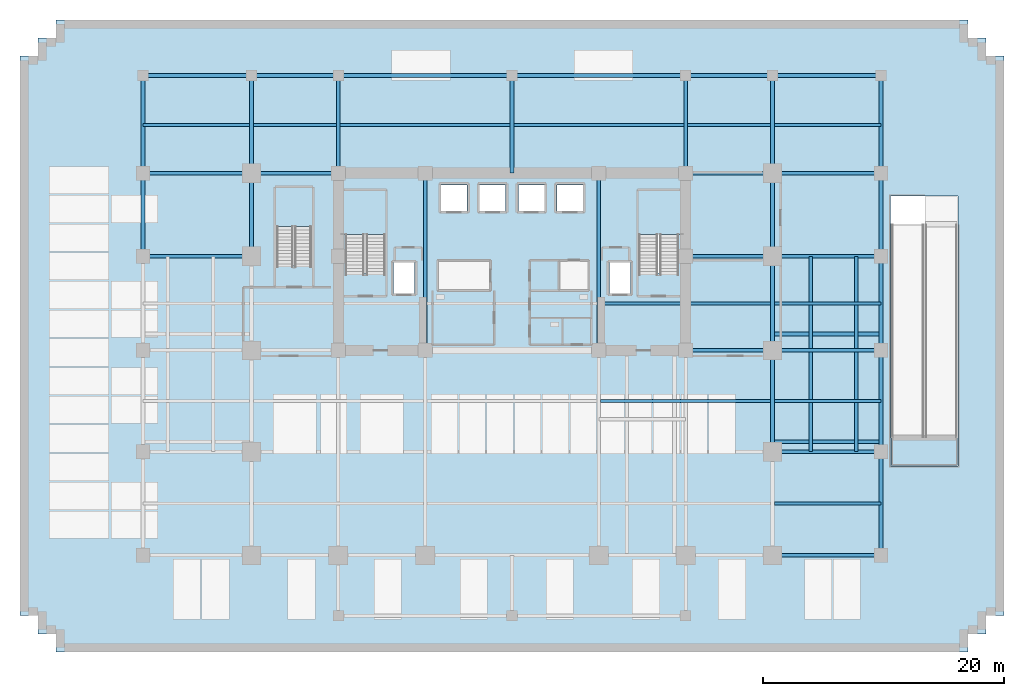
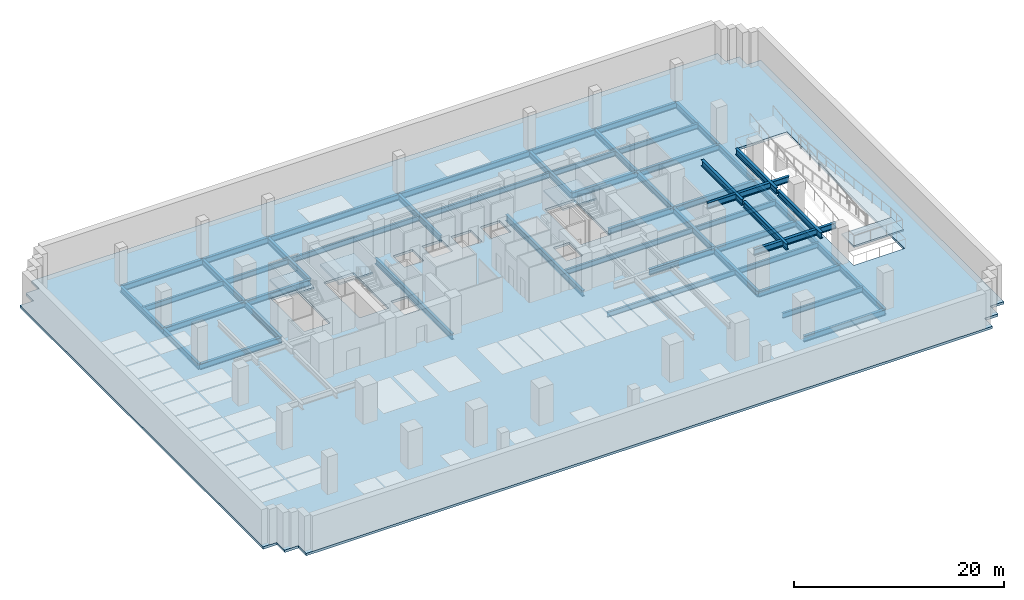
# One storey, part 2 of 14: 52 beams, 5 slabs, 3 elements without a shape of their own.
"""IFC4 building model written with IfcOpenShell, lengths in metres."""

from ifc_helpers import new_model, si_unit, direction, frame, origin, origin_2d, place, context, subcontext, project, spatial, polyline, i_section, outline, extrude, material, layer, layer_set, material_profile, profile_set, type_object, element, aggregate, save


model = new_model("IFC4")

# Units and contexts
model_context = context("Model", 3, precision=1e-05, world=origin(), true_north=direction((0.0, 1.0)))
body_context = subcontext(model_context, "Body", "Model", "MODEL_VIEW")
ifc_project = project(units=[si_unit("LENGTHUNIT", "METRE"), si_unit("AREAUNIT", "SQUARE_METRE"), si_unit("VOLUMEUNIT", "CUBIC_METRE"), si_unit("PLANEANGLEUNIT", "RADIAN"), si_unit("MASSUNIT", "GRAM", prefix="KILO")], contexts=[model_context])

# Site, building, storey
site_placement = place(None, origin())
site = spatial("IfcSite", under=ifc_project, at=site_placement, CompositionType="ELEMENT")
building_placement = place(site_placement, origin())
building = spatial("IfcBuilding", under=site, at=building_placement, Name="Zarnakvel Exchange Tower", CompositionType="ELEMENT")
storey_placement = place(building_placement, frame((0.0, 0.0, -4.39990234375)))
storey = spatial("IfcBuildingStorey", under=building, at=storey_placement, Name="B01", CompositionType="ELEMENT", Elevation=-4.39990234375)

# Beams
ifc_material_1 = material(Name="Steel S355", Category="steel")
ifc_material_profile_1 = material_profile(ifc_material_1, i_section(OverallWidth=0.230224609375, OverallDepth=0.6171875, WebThickness=0.01318359375, FlangeThickness=0.022216796875, FilletRadius=0.0126953125, at=origin_2d()))
ifc_profile_set_1 = profile_set([ifc_material_profile_1], Name="Steel S355")
beam_type_1 = type_object("IfcBeamType", Name="B-02", PredefinedType="JOIST", material=ifc_profile_set_1)
beam_1_placement = place(storey_placement, frame((21.75, -13.89990234375, -0.588623046875), z_axis=(1.0, 0.0, 0.0), x_axis=(0.0, 1.0, 0.0)))
element("IfcBeam", 1, at=beam_1_placement, inside=storey, type_object=beam_type_1, Name="B01 Secondary Floor Joist", PredefinedType="JOIST", context=body_context, shape_type="SweptSolid", body=[
    extrude(i_section(OverallWidth=0.230224609375, OverallDepth=0.6171875, WebThickness=0.01318359375, FlangeThickness=0.022216796875, FilletRadius=0.0126953125, at=origin_2d()), origin(), (0.0, 0.0, 1.0), 8.85009765625),
])
beam_2_placement = place(storey_placement, frame((7.35009765625, -5.39990234375, -0.588623046875), z_axis=(1.0, 0.0, 0.0), x_axis=(0.0, 1.0, 0.0)))
element("IfcBeam", 2, at=beam_2_placement, inside=storey, type_object=beam_type_1, Name="B01 Secondary Floor Joist", PredefinedType="JOIST", context=body_context, shape_type="SweptSolid", body=[
    extrude(i_section(OverallWidth=0.230224609375, OverallDepth=0.6171875, WebThickness=0.01318359375, FlangeThickness=0.022216796875, FilletRadius=0.0126953125, at=origin_2d()), origin(), (0.0, 0.0, 1.0), 14.099853515625),
])
beam_3_placement = place(storey_placement, frame((21.75, -5.39990234375, -0.588623046875), z_axis=(1.0, 0.0, 0.0), x_axis=(0.0, 1.0, 0.0)))
element("IfcBeam", 3, at=beam_3_placement, inside=storey, type_object=beam_type_1, Name="B01 Secondary Floor Joist", PredefinedType="JOIST", context=body_context, shape_type="SweptSolid", body=[
    extrude(i_section(OverallWidth=0.230224609375, OverallDepth=0.6171875, WebThickness=0.01318359375, FlangeThickness=0.022216796875, FilletRadius=0.0126953125, at=origin_2d()), origin(), (0.0, 0.0, 1.0), 8.85009765625),
])
beam_4_placement = place(storey_placement, frame((7.35009765625, 2.699951171875, -0.588623046875), z_axis=(1.0, 0.0, 0.0), x_axis=(0.0, 1.0, 0.0)))
element("IfcBeam", 4, at=beam_4_placement, inside=storey, type_object=beam_type_1, Name="B01 Secondary Floor Joist", PredefinedType="JOIST", context=body_context, shape_type="SweptSolid", body=[
    extrude(i_section(OverallWidth=0.230224609375, OverallDepth=0.6171875, WebThickness=0.01318359375, FlangeThickness=0.022216796875, FilletRadius=0.0126953125, at=origin_2d()), origin(), (0.0, 0.0, 1.0), 14.099853515625),
])
for number, where, z_axis, x_axis, name in (
    (5, (21.75, 2.699951171875, -0.588623046875), (1.0, 0.0, 0.0), (0.0, 1.0, 0.0), "B01 Secondary Floor Joist"),
    (6, (-30.60009765625, 17.5, -0.588623046875), (1.0, 0.0, 0.0), (0.0, 1.0, 0.0), "B01 North Bay Secondary Floor Joist"),
):
    element("IfcBeam", number, at=place(storey_placement, frame(where, z_axis=z_axis, x_axis=x_axis)), inside=storey, type_object=beam_type_1, Name=name, PredefinedType="JOIST", context=body_context, shape_type="SweptSolid", body=[
        extrude(i_section(OverallWidth=0.230224609375, OverallDepth=0.6171875, WebThickness=0.01318359375, FlangeThickness=0.022216796875, FilletRadius=0.0126953125, at=origin_2d()), origin(), (0.0, 0.0, 1.0), 8.85009765625),
    ])
beam_5_placement = place(storey_placement, frame((-21.449951171875, 17.5, -0.588623046875), z_axis=(1.0, 0.0, 0.0), x_axis=(0.0, 1.0, 0.0)))
element("IfcBeam", 7, at=beam_5_placement, inside=storey, type_object=beam_type_1, Name="B01 North Bay Secondary Floor Joist", PredefinedType="JOIST", context=body_context, shape_type="SweptSolid", body=[
    extrude(i_section(OverallWidth=0.230224609375, OverallDepth=0.6171875, WebThickness=0.01318359375, FlangeThickness=0.022216796875, FilletRadius=0.0126953125, at=origin_2d()), origin(), (0.0, 0.0, 1.0), 6.89990234375),
])
for number, where, z_axis, x_axis, name in (
    (8, (-14.25, 17.5, -0.588623046875), (1.0, 0.0, 0.0), (0.0, 1.0, 0.0), "B01 North Bay Secondary Floor Joist"),
    (9, (0.14990234375, 17.5, -0.588623046875), (1.0, 0.0, 0.0), (0.0, 1.0, 0.0), "B01 North Bay Secondary Floor Joist"),
):
    element("IfcBeam", number, at=place(storey_placement, frame(where, z_axis=z_axis, x_axis=x_axis)), inside=storey, type_object=beam_type_1, Name=name, PredefinedType="JOIST", context=body_context, shape_type="SweptSolid", body=[
        extrude(i_section(OverallWidth=0.230224609375, OverallDepth=0.6171875, WebThickness=0.01318359375, FlangeThickness=0.022216796875, FilletRadius=0.0126953125, at=origin_2d()), origin(), (0.0, 0.0, 1.0), 14.10009765625),
    ])
beam_6_placement = place(storey_placement, frame((14.550048828125, 17.5, -0.588623046875), z_axis=(1.0, 0.0, 0.0), x_axis=(0.0, 1.0, 0.0)))
element("IfcBeam", 10, at=beam_6_placement, inside=storey, type_object=beam_type_1, Name="B01 North Bay Secondary Floor Joist", PredefinedType="JOIST", context=body_context, shape_type="SweptSolid", body=[
    extrude(i_section(OverallWidth=0.230224609375, OverallDepth=0.6171875, WebThickness=0.01318359375, FlangeThickness=0.022216796875, FilletRadius=0.0126953125, at=origin_2d()), origin(), (0.0, 0.0, 1.0), 6.89990234375),
])
beam_7_placement = place(storey_placement, frame((21.75, 17.5, -0.588623046875), z_axis=(1.0, 0.0, 0.0), x_axis=(0.0, 1.0, 0.0)))
element("IfcBeam", 11, at=beam_7_placement, inside=storey, type_object=beam_type_1, Name="B01 North Bay Secondary Floor Joist", PredefinedType="JOIST", context=body_context, shape_type="SweptSolid", body=[
    extrude(i_section(OverallWidth=0.230224609375, OverallDepth=0.6171875, WebThickness=0.01318359375, FlangeThickness=0.022216796875, FilletRadius=0.0126953125, at=origin_2d()), origin(), (0.0, 0.0, 1.0), 8.85009765625),
])
ifc_material_profile_2 = material_profile(ifc_material_1, i_section(OverallWidth=0.300048828125, OverallDepth=0.699951171875, WebThickness=0.01708984375, FlangeThickness=0.031982421875, FilletRadius=0.027099609375, at=origin_2d()))
ifc_profile_set_2 = profile_set([ifc_material_profile_2], Name="Steel S355")
beam_type_2 = type_object("IfcBeamType", Name="G-03", PredefinedType="BEAM", material=ifc_profile_set_2)
for number, where, z_axis, x_axis, name in (
    (12, (21.60009765625, -18.199951171875, -0.630126953125), (1.0, 0.0, 0.0), (0.0, 1.0, 0.0), "B01 Primary E-W Girder Y=-18.2"),
    (13, (21.60009765625, -9.60009765625, -0.630126953125), (1.0, 0.0, 0.0), (0.0, 1.0, 0.0), "B01 Primary E-W Girder Y=-9.6"),
):
    element("IfcBeam", number, at=place(storey_placement, frame(where, z_axis=z_axis, x_axis=x_axis)), inside=storey, type_object=beam_type_2, Name=name, PredefinedType="BEAM", context=body_context, shape_type="SweptSolid", body=[
        extrude(i_section(OverallWidth=0.300048828125, OverallDepth=0.699951171875, WebThickness=0.01708984375, FlangeThickness=0.031982421875, FilletRadius=0.027099609375, at=origin_2d()), origin(), (0.0, 0.0, 1.0), 9.0),
    ])
beam_8_placement = place(storey_placement, frame((14.39990234375, -1.199951171875, -0.630126953125), z_axis=(1.0, 0.0, 0.0), x_axis=(0.0, 1.0, 0.0)))
element("IfcBeam", 14, at=beam_8_placement, inside=storey, type_object=beam_type_2, Name="B01 Primary E-W Girder Y=-1.2", PredefinedType="BEAM", context=body_context, shape_type="SweptSolid", body=[
    extrude(i_section(OverallWidth=0.300048828125, OverallDepth=0.699951171875, WebThickness=0.01708984375, FlangeThickness=0.031982421875, FilletRadius=0.027099609375, at=origin_2d()), origin(), (0.0, 0.0, 1.0), 7.2001953125),
])
for number, where, z_axis, x_axis, name in (
    (15, (21.60009765625, -1.199951171875, -0.630126953125), (1.0, 0.0, 0.0), (0.0, 1.0, 0.0), "B01 Primary E-W Girder Y=-1.2"),
    (16, (-30.60009765625, 6.60009765625, -0.630126953125), (1.0, 0.0, 0.0), (0.0, 1.0, 0.0), "B01 Primary E-W Girder Y=+6.6"),
):
    element("IfcBeam", number, at=place(storey_placement, frame(where, z_axis=z_axis, x_axis=x_axis)), inside=storey, type_object=beam_type_2, Name=name, PredefinedType="BEAM", context=body_context, shape_type="SweptSolid", body=[
        extrude(i_section(OverallWidth=0.300048828125, OverallDepth=0.699951171875, WebThickness=0.01708984375, FlangeThickness=0.031982421875, FilletRadius=0.027099609375, at=origin_2d()), origin(), (0.0, 0.0, 1.0), 9.0),
    ])
beam_9_placement = place(storey_placement, frame((14.39990234375, 6.60009765625, -0.630126953125), z_axis=(1.0, 0.0, 0.0), x_axis=(0.0, 1.0, 0.0)))
element("IfcBeam", 17, at=beam_9_placement, inside=storey, type_object=beam_type_2, Name="B01 Primary E-W Girder Y=+6.6", PredefinedType="BEAM", context=body_context, shape_type="SweptSolid", body=[
    extrude(i_section(OverallWidth=0.300048828125, OverallDepth=0.699951171875, WebThickness=0.01708984375, FlangeThickness=0.031982421875, FilletRadius=0.027099609375, at=origin_2d()), origin(), (0.0, 0.0, 1.0), 7.2001953125),
])
for number, where, z_axis, x_axis, name in (
    (18, (21.60009765625, 6.60009765625, -0.630126953125), (1.0, 0.0, 0.0), (0.0, 1.0, 0.0), "B01 Primary E-W Girder Y=+6.6"),
    (19, (-30.60009765625, 13.5, -0.630126953125), (1.0, 0.0, 0.0), (0.0, 1.0, 0.0), "B01 Primary E-W Girder Y=+13.5"),
):
    element("IfcBeam", number, at=place(storey_placement, frame(where, z_axis=z_axis, x_axis=x_axis)), inside=storey, type_object=beam_type_2, Name=name, PredefinedType="BEAM", context=body_context, shape_type="SweptSolid", body=[
        extrude(i_section(OverallWidth=0.300048828125, OverallDepth=0.699951171875, WebThickness=0.01708984375, FlangeThickness=0.031982421875, FilletRadius=0.027099609375, at=origin_2d()), origin(), (0.0, 0.0, 1.0), 9.0),
    ])
for number, where, z_axis, x_axis, name in (
    (20, (-21.60009765625, 13.5, -0.630126953125), (1.0, 0.0, 0.0), (0.0, 1.0, 0.0), "B01 Primary E-W Girder Y=+13.5"),
    (21, (14.39990234375, 13.5, -0.630126953125), (1.0, 0.0, 0.0), (0.0, 1.0, 0.0), "B01 Primary E-W Girder Y=+13.5"),
):
    element("IfcBeam", number, at=place(storey_placement, frame(where, z_axis=z_axis, x_axis=x_axis)), inside=storey, type_object=beam_type_2, Name=name, PredefinedType="BEAM", context=body_context, shape_type="SweptSolid", body=[
        extrude(i_section(OverallWidth=0.300048828125, OverallDepth=0.699951171875, WebThickness=0.01708984375, FlangeThickness=0.031982421875, FilletRadius=0.027099609375, at=origin_2d()), origin(), (0.0, 0.0, 1.0), 7.2001953125),
    ])
for number, where, z_axis, x_axis, name in (
    (22, (21.60009765625, 13.5, -0.630126953125), (1.0, 0.0, 0.0), (0.0, 1.0, 0.0), "B01 Primary E-W Girder Y=+13.5"),
    (23, (-30.60009765625, 21.60009765625, -0.630126953125), (1.0, 0.0, 0.0), (0.0, 1.0, 0.0), "B01 Primary E-W Girder Y=+21.6"),
):
    element("IfcBeam", number, at=place(storey_placement, frame(where, z_axis=z_axis, x_axis=x_axis)), inside=storey, type_object=beam_type_2, Name=name, PredefinedType="BEAM", context=body_context, shape_type="SweptSolid", body=[
        extrude(i_section(OverallWidth=0.300048828125, OverallDepth=0.699951171875, WebThickness=0.01708984375, FlangeThickness=0.031982421875, FilletRadius=0.027099609375, at=origin_2d()), origin(), (0.0, 0.0, 1.0), 9.0),
    ])
beam_10_placement = place(storey_placement, frame((-21.60009765625, 21.60009765625, -0.630126953125), z_axis=(1.0, 0.0, 0.0), x_axis=(0.0, 1.0, 0.0)))
element("IfcBeam", 24, at=beam_10_placement, inside=storey, type_object=beam_type_2, Name="B01 Primary E-W Girder Y=+21.6", PredefinedType="BEAM", context=body_context, shape_type="SweptSolid", body=[
    extrude(i_section(OverallWidth=0.300048828125, OverallDepth=0.699951171875, WebThickness=0.01708984375, FlangeThickness=0.031982421875, FilletRadius=0.027099609375, at=origin_2d()), origin(), (0.0, 0.0, 1.0), 7.2001953125),
])
for number, where, z_axis, x_axis, name in (
    (25, (-14.39990234375, 21.60009765625, -0.630126953125), (1.0, 0.0, 0.0), (0.0, 1.0, 0.0), "B01 Primary E-W Girder Y=+21.6"),
    (26, (0.0, 21.60009765625, -0.630126953125), (1.0, 0.0, 0.0), (0.0, 1.0, 0.0), "B01 Primary E-W Girder Y=+21.6"),
):
    element("IfcBeam", number, at=place(storey_placement, frame(where, z_axis=z_axis, x_axis=x_axis)), inside=storey, type_object=beam_type_2, Name=name, PredefinedType="BEAM", context=body_context, shape_type="SweptSolid", body=[
        extrude(i_section(OverallWidth=0.300048828125, OverallDepth=0.699951171875, WebThickness=0.01708984375, FlangeThickness=0.031982421875, FilletRadius=0.027099609375, at=origin_2d()), origin(), (0.0, 0.0, 1.0), 14.39990234375),
    ])
beam_11_placement = place(storey_placement, frame((14.39990234375, 21.60009765625, -0.630126953125), z_axis=(1.0, 0.0, 0.0), x_axis=(0.0, 1.0, 0.0)))
element("IfcBeam", 27, at=beam_11_placement, inside=storey, type_object=beam_type_2, Name="B01 Primary E-W Girder Y=+21.6", PredefinedType="BEAM", context=body_context, shape_type="SweptSolid", body=[
    extrude(i_section(OverallWidth=0.300048828125, OverallDepth=0.699951171875, WebThickness=0.01708984375, FlangeThickness=0.031982421875, FilletRadius=0.027099609375, at=origin_2d()), origin(), (0.0, 0.0, 1.0), 7.2001953125),
])
beam_12_placement = place(storey_placement, frame((21.60009765625, 21.60009765625, -0.630126953125), z_axis=(1.0, 0.0, 0.0), x_axis=(0.0, 1.0, 0.0)))
element("IfcBeam", 28, at=beam_12_placement, inside=storey, type_object=beam_type_2, Name="B01 Primary E-W Girder Y=+21.6", PredefinedType="BEAM", context=body_context, shape_type="SweptSolid", body=[
    extrude(i_section(OverallWidth=0.300048828125, OverallDepth=0.699951171875, WebThickness=0.01708984375, FlangeThickness=0.031982421875, FilletRadius=0.027099609375, at=origin_2d()), origin(), (0.0, 0.0, 1.0), 9.0),
])
beam_13_placement = place(storey_placement, frame((-30.60009765625, 6.60009765625, -0.630126953125), z_axis=(0.0, 1.0, 0.0), x_axis=(-1.0, 0.0, 0.0)))
element("IfcBeam", 29, at=beam_13_placement, inside=storey, type_object=beam_type_2, Name="B01 Primary N-S Girder X=-30.6", PredefinedType="BEAM", context=body_context, shape_type="SweptSolid", body=[
    extrude(i_section(OverallWidth=0.300048828125, OverallDepth=0.699951171875, WebThickness=0.01708984375, FlangeThickness=0.031982421875, FilletRadius=0.027099609375, at=origin_2d()), origin(), (0.0, 0.0, 1.0), 6.89990234375),
])
beam_14_placement = place(storey_placement, frame((-30.60009765625, 13.5, -0.630126953125), z_axis=(0.0, 1.0, 0.0), x_axis=(-1.0, 0.0, 0.0)))
element("IfcBeam", 30, at=beam_14_placement, inside=storey, type_object=beam_type_2, Name="B01 Primary N-S Girder X=-30.6", PredefinedType="BEAM", context=body_context, shape_type="SweptSolid", body=[
    extrude(i_section(OverallWidth=0.300048828125, OverallDepth=0.699951171875, WebThickness=0.01708984375, FlangeThickness=0.031982421875, FilletRadius=0.027099609375, at=origin_2d()), origin(), (0.0, 0.0, 1.0), 8.10009765625),
])
beam_15_placement = place(storey_placement, frame((-21.60009765625, 6.60009765625, -0.630126953125), z_axis=(0.0, 1.0, 0.0), x_axis=(-1.0, 0.0, 0.0)))
element("IfcBeam", 31, at=beam_15_placement, inside=storey, type_object=beam_type_2, Name="B01 Primary N-S Girder X=-21.6", PredefinedType="BEAM", context=body_context, shape_type="SweptSolid", body=[
    extrude(i_section(OverallWidth=0.300048828125, OverallDepth=0.699951171875, WebThickness=0.01708984375, FlangeThickness=0.031982421875, FilletRadius=0.027099609375, at=origin_2d()), origin(), (0.0, 0.0, 1.0), 6.89990234375),
])
for number, where, z_axis, x_axis, name in (
    (32, (-21.60009765625, 13.5, -0.630126953125), (0.0, 1.0, 0.0), (-1.0, 0.0, 0.0), "B01 Primary N-S Girder X=-21.6"),
    (33, (-14.39990234375, 13.5, -0.630126953125), (0.0, 1.0, 0.0), (-1.0, 0.0, 0.0), "B01 Primary N-S Girder X=-14.4"),
):
    element("IfcBeam", number, at=place(storey_placement, frame(where, z_axis=z_axis, x_axis=x_axis)), inside=storey, type_object=beam_type_2, Name=name, PredefinedType="BEAM", context=body_context, shape_type="SweptSolid", body=[
        extrude(i_section(OverallWidth=0.300048828125, OverallDepth=0.699951171875, WebThickness=0.01708984375, FlangeThickness=0.031982421875, FilletRadius=0.027099609375, at=origin_2d()), origin(), (0.0, 0.0, 1.0), 8.10009765625),
    ])
beam_16_placement = place(storey_placement, frame((-7.199951171875, -1.199951171875, -0.630126953125), z_axis=(0.0, 1.0, 0.0), x_axis=(-1.0, 0.0, 0.0)))
element("IfcBeam", 34, at=beam_16_placement, inside=storey, type_object=beam_type_2, Name="B01 Primary N-S Girder X=-7.2", PredefinedType="BEAM", context=body_context, shape_type="SweptSolid", body=[
    extrude(i_section(OverallWidth=0.300048828125, OverallDepth=0.699951171875, WebThickness=0.01708984375, FlangeThickness=0.031982421875, FilletRadius=0.027099609375, at=origin_2d()), origin(), (0.0, 0.0, 1.0), 14.699951171875),
])
beam_17_placement = place(storey_placement, frame((0.0, 13.5, -0.630126953125), z_axis=(0.0, 1.0, 0.0), x_axis=(-1.0, 0.0, 0.0)))
element("IfcBeam", 35, at=beam_17_placement, inside=storey, type_object=beam_type_2, Name="B01 Primary N-S Girder X=+0.0 North", PredefinedType="BEAM", context=body_context, shape_type="SweptSolid", body=[
    extrude(i_section(OverallWidth=0.300048828125, OverallDepth=0.699951171875, WebThickness=0.01708984375, FlangeThickness=0.031982421875, FilletRadius=0.027099609375, at=origin_2d()), origin(), (0.0, 0.0, 1.0), 8.10009765625),
])
beam_18_placement = place(storey_placement, frame((7.199951171875, -1.199951171875, -0.630126953125), z_axis=(0.0, 1.0, 0.0), x_axis=(-1.0, 0.0, 0.0)))
element("IfcBeam", 36, at=beam_18_placement, inside=storey, type_object=beam_type_2, Name="B01 Primary N-S Girder X=+7.2", PredefinedType="BEAM", context=body_context, shape_type="SweptSolid", body=[
    extrude(i_section(OverallWidth=0.300048828125, OverallDepth=0.699951171875, WebThickness=0.01708984375, FlangeThickness=0.031982421875, FilletRadius=0.027099609375, at=origin_2d()), origin(), (0.0, 0.0, 1.0), 14.699951171875),
])
beam_19_placement = place(storey_placement, frame((14.39990234375, 13.5, -0.630126953125), z_axis=(0.0, 1.0, 0.0), x_axis=(-1.0, 0.0, 0.0)))
element("IfcBeam", 37, at=beam_19_placement, inside=storey, type_object=beam_type_2, Name="B01 Primary N-S Girder X=+14.4", PredefinedType="BEAM", context=body_context, shape_type="SweptSolid", body=[
    extrude(i_section(OverallWidth=0.300048828125, OverallDepth=0.699951171875, WebThickness=0.01708984375, FlangeThickness=0.031982421875, FilletRadius=0.027099609375, at=origin_2d()), origin(), (0.0, 0.0, 1.0), 8.10009765625),
])
beam_20_placement = place(storey_placement, frame((21.60009765625, -9.60009765625, -0.630126953125), z_axis=(0.0, 1.0, 0.0), x_axis=(-1.0, 0.0, 0.0)))
element("IfcBeam", 38, at=beam_20_placement, inside=storey, type_object=beam_type_2, Name="B01 Primary N-S Girder X=+21.6", PredefinedType="BEAM", context=body_context, shape_type="SweptSolid", body=[
    extrude(i_section(OverallWidth=0.300048828125, OverallDepth=0.699951171875, WebThickness=0.01708984375, FlangeThickness=0.031982421875, FilletRadius=0.027099609375, at=origin_2d()), origin(), (0.0, 0.0, 1.0), 8.400146484375),
])
beam_21_placement = place(storey_placement, frame((21.60009765625, -1.199951171875, -0.630126953125), z_axis=(0.0, 1.0, 0.0), x_axis=(-1.0, 0.0, 0.0)))
element("IfcBeam", 39, at=beam_21_placement, inside=storey, type_object=beam_type_2, Name="B01 Primary N-S Girder X=+21.6", PredefinedType="BEAM", context=body_context, shape_type="SweptSolid", body=[
    extrude(i_section(OverallWidth=0.300048828125, OverallDepth=0.699951171875, WebThickness=0.01708984375, FlangeThickness=0.031982421875, FilletRadius=0.027099609375, at=origin_2d()), origin(), (0.0, 0.0, 1.0), 7.800048828125),
])
beam_22_placement = place(storey_placement, frame((21.60009765625, 6.60009765625, -0.630126953125), z_axis=(0.0, 1.0, 0.0), x_axis=(-1.0, 0.0, 0.0)))
element("IfcBeam", 40, at=beam_22_placement, inside=storey, type_object=beam_type_2, Name="B01 Primary N-S Girder X=+21.6", PredefinedType="BEAM", context=body_context, shape_type="SweptSolid", body=[
    extrude(i_section(OverallWidth=0.300048828125, OverallDepth=0.699951171875, WebThickness=0.01708984375, FlangeThickness=0.031982421875, FilletRadius=0.027099609375, at=origin_2d()), origin(), (0.0, 0.0, 1.0), 6.89990234375),
])
beam_23_placement = place(storey_placement, frame((21.60009765625, 13.5, -0.630126953125), z_axis=(0.0, 1.0, 0.0), x_axis=(-1.0, 0.0, 0.0)))
element("IfcBeam", 41, at=beam_23_placement, inside=storey, type_object=beam_type_2, Name="B01 Primary N-S Girder X=+21.6", PredefinedType="BEAM", context=body_context, shape_type="SweptSolid", body=[
    extrude(i_section(OverallWidth=0.300048828125, OverallDepth=0.699951171875, WebThickness=0.01708984375, FlangeThickness=0.031982421875, FilletRadius=0.027099609375, at=origin_2d()), origin(), (0.0, 0.0, 1.0), 8.10009765625),
])
beam_24_placement = place(storey_placement, frame((30.60009765625, -18.199951171875, -0.630126953125), z_axis=(0.0, 1.0, 0.0), x_axis=(-1.0, 0.0, 0.0)))
element("IfcBeam", 42, at=beam_24_placement, inside=storey, type_object=beam_type_2, Name="B01 Primary N-S Girder X=+30.6", PredefinedType="BEAM", context=body_context, shape_type="SweptSolid", body=[
    extrude(i_section(OverallWidth=0.300048828125, OverallDepth=0.699951171875, WebThickness=0.01708984375, FlangeThickness=0.031982421875, FilletRadius=0.027099609375, at=origin_2d()), origin(), (0.0, 0.0, 1.0), 8.599853515625),
])
beam_25_placement = place(storey_placement, frame((30.60009765625, -9.60009765625, -0.630126953125), z_axis=(0.0, 1.0, 0.0), x_axis=(-1.0, 0.0, 0.0)))
element("IfcBeam", 43, at=beam_25_placement, inside=storey, type_object=beam_type_2, Name="B01 Primary N-S Girder X=+30.6", PredefinedType="BEAM", context=body_context, shape_type="SweptSolid", body=[
    extrude(i_section(OverallWidth=0.300048828125, OverallDepth=0.699951171875, WebThickness=0.01708984375, FlangeThickness=0.031982421875, FilletRadius=0.027099609375, at=origin_2d()), origin(), (0.0, 0.0, 1.0), 8.400146484375),
])
beam_26_placement = place(storey_placement, frame((30.60009765625, -1.199951171875, -0.630126953125), z_axis=(0.0, 1.0, 0.0), x_axis=(-1.0, 0.0, 0.0)))
element("IfcBeam", 44, at=beam_26_placement, inside=storey, type_object=beam_type_2, Name="B01 Primary N-S Girder X=+30.6", PredefinedType="BEAM", context=body_context, shape_type="SweptSolid", body=[
    extrude(i_section(OverallWidth=0.300048828125, OverallDepth=0.699951171875, WebThickness=0.01708984375, FlangeThickness=0.031982421875, FilletRadius=0.027099609375, at=origin_2d()), origin(), (0.0, 0.0, 1.0), 7.800048828125),
])
beam_27_placement = place(storey_placement, frame((30.60009765625, 6.60009765625, -0.630126953125), z_axis=(0.0, 1.0, 0.0), x_axis=(-1.0, 0.0, 0.0)))
element("IfcBeam", 45, at=beam_27_placement, inside=storey, type_object=beam_type_2, Name="B01 Primary N-S Girder X=+30.6", PredefinedType="BEAM", context=body_context, shape_type="SweptSolid", body=[
    extrude(i_section(OverallWidth=0.300048828125, OverallDepth=0.699951171875, WebThickness=0.01708984375, FlangeThickness=0.031982421875, FilletRadius=0.027099609375, at=origin_2d()), origin(), (0.0, 0.0, 1.0), 6.89990234375),
])
beam_28_placement = place(storey_placement, frame((30.60009765625, 13.5, -0.630126953125), z_axis=(0.0, 1.0, 0.0), x_axis=(-1.0, 0.0, 0.0)))
element("IfcBeam", 46, at=beam_28_placement, inside=storey, type_object=beam_type_2, Name="B01 Primary N-S Girder X=+30.6", PredefinedType="BEAM", context=body_context, shape_type="SweptSolid", body=[
    extrude(i_section(OverallWidth=0.300048828125, OverallDepth=0.699951171875, WebThickness=0.01708984375, FlangeThickness=0.031982421875, FilletRadius=0.027099609375, at=origin_2d()), origin(), (0.0, 0.0, 1.0), 8.10009765625),
])
beam_29_placement = place(storey_placement, frame((24.7900390625, -9.60009765625, 3.75), z_axis=(0.0, 1.0, 0.0), x_axis=(-1.0, 0.0, 0.0)))
element("IfcBeam", 47, at=beam_29_placement, inside=storey, type_object=beam_type_2, Name="B01 Stairwell Base Support Girder STBM-B01-ST4-W1", PredefinedType="BEAM", context=body_context, shape_type="SweptSolid", body=[
    extrude(i_section(OverallWidth=0.300048828125, OverallDepth=0.699951171875, WebThickness=0.01708984375, FlangeThickness=0.031982421875, FilletRadius=0.027099609375, at=origin_2d()), origin(), (0.0, 0.0, 1.0), 8.25),
])
beam_30_placement = place(storey_placement, frame((24.7900390625, -1.050048828125, 3.75), z_axis=(0.0, 1.0, 0.0), x_axis=(-1.0, 0.0, 0.0)))
element("IfcBeam", 48, at=beam_30_placement, inside=storey, type_object=beam_type_2, Name="B01 Stairwell Base Support Girder STBM-B01-ST4-W2", PredefinedType="BEAM", context=body_context, shape_type="SweptSolid", body=[
    extrude(i_section(OverallWidth=0.300048828125, OverallDepth=0.699951171875, WebThickness=0.01708984375, FlangeThickness=0.031982421875, FilletRadius=0.027099609375, at=origin_2d()), origin(), (0.0, 0.0, 1.0), 7.650146484375),
])
beam_31_placement = place(storey_placement, frame((28.56005859375, -9.60009765625, 3.75), z_axis=(0.0, 1.0, 0.0), x_axis=(-1.0, 0.0, 0.0)))
element("IfcBeam", 49, at=beam_31_placement, inside=storey, type_object=beam_type_2, Name="B01 Stairwell Base Support Girder STBM-B01-ST4-E1", PredefinedType="BEAM", context=body_context, shape_type="SweptSolid", body=[
    extrude(i_section(OverallWidth=0.300048828125, OverallDepth=0.699951171875, WebThickness=0.01708984375, FlangeThickness=0.031982421875, FilletRadius=0.027099609375, at=origin_2d()), origin(), (0.0, 0.0, 1.0), 8.25),
])
beam_32_placement = place(storey_placement, frame((28.56005859375, -1.050048828125, 3.75), z_axis=(0.0, 1.0, 0.0), x_axis=(-1.0, 0.0, 0.0)))
element("IfcBeam", 50, at=beam_32_placement, inside=storey, type_object=beam_type_2, Name="B01 Stairwell Base Support Girder STBM-B01-ST4-E2", PredefinedType="BEAM", context=body_context, shape_type="SweptSolid", body=[
    extrude(i_section(OverallWidth=0.300048828125, OverallDepth=0.699951171875, WebThickness=0.01708984375, FlangeThickness=0.031982421875, FilletRadius=0.027099609375, at=origin_2d()), origin(), (0.0, 0.0, 1.0), 7.650146484375),
])
for number, where, z_axis, x_axis, name in (
    (51, (21.60009765625, 0.159912109375, 3.75), (1.0, 0.0, 0.0), (0.0, 1.0, 0.0), "B01 Stairwell Base Support Girder STBM-B01-ST4-N"),
    (52, (21.60009765625, -8.760009765625, 3.75), (1.0, 0.0, 0.0), (0.0, 1.0, 0.0), "B01 Stairwell Base Support Girder STBM-B01-ST4-S"),
):
    element("IfcBeam", number, at=place(storey_placement, frame(where, z_axis=z_axis, x_axis=x_axis)), inside=storey, type_object=beam_type_2, Name=name, PredefinedType="BEAM", context=body_context, shape_type="SweptSolid", body=[
        extrude(i_section(OverallWidth=0.300048828125, OverallDepth=0.699951171875, WebThickness=0.01708984375, FlangeThickness=0.031982421875, FilletRadius=0.027099609375, at=origin_2d()), origin(), (0.0, 0.0, 1.0), 9.0),
    ])

# Stair, slab
ifc_material_2 = material(Name="Concrete C40/50", Category="concrete")
stair_type_1 = type_object("IfcStairType", Name="STR-01", PredefinedType="HALF_TURN_STAIR", material=ifc_material_2)
stair_1_placement = place(storey_placement, origin())
stair_1 = element("IfcStair", 53, at=stair_1_placement, inside=storey, type_object=stair_type_1, Name="B01 Protected Core Exit Stair ST-01", PredefinedType="HALF_TURN_STAIR")
ifc_layer_1 = layer(ifc_material_2, 0.199951171875)
ifc_layer_set_1 = layer_set([ifc_layer_1], Name="Concrete C40/50")
slab_type_1 = type_object("IfcSlabType", Name="LDG-01", PredefinedType="LANDING", material=ifc_layer_set_1)
slab_1_placement = place(storey_placement, frame((0.0, 0.0, 2.0)))
slab_1 = element("IfcSlab", 54, at=slab_1_placement, type_object=slab_type_1, Name="ST-01 landing 1", PredefinedType="LANDING", context=body_context, shape_type="SweptSolid", body=[
    extrude(outline(polyline([(-14.18994140625, 8.409912109375), (-10.4599609375, 8.409912109375), (-10.4599609375, 12.080078125), (-14.18994140625, 12.080078125), (-14.18994140625, 8.409912109375)])), origin(), (0.0, 0.0, 1.0), 0.199951171875),
])
aggregate(stair_1, [slab_1])

stair_2_placement = place(storey_placement, origin())
stair_2 = element("IfcStair", 55, at=stair_2_placement, inside=storey, type_object=stair_type_1, Name="B01 Protected Core Exit Stair ST-02", PredefinedType="HALF_TURN_STAIR")
slab_2_placement = place(storey_placement, frame((0.0, 0.0, 2.0)))
slab_2 = element("IfcSlab", 56, at=slab_2_placement, type_object=slab_type_1, Name="ST-02 landing 1", PredefinedType="LANDING", context=body_context, shape_type="SweptSolid", body=[
    extrude(outline(polyline([(10.4599609375, 8.409912109375), (14.18994140625, 8.409912109375), (14.18994140625, 12.080078125), (10.4599609375, 12.080078125), (10.4599609375, 8.409912109375)])), origin(), (0.0, 0.0, 1.0), 0.199951171875),
])
aggregate(stair_2, [slab_2])

stair_type_2 = type_object("IfcStairType", Name="STR-03", PredefinedType="HALF_TURN_STAIR", material=ifc_material_2)
stair_3_placement = place(storey_placement, origin())
stair_3 = element("IfcStair", 57, at=stair_3_placement, inside=storey, type_object=stair_type_2, Name="B01 Substructure Car Park Exit Stair ST-05", PredefinedType="HALF_TURN_STAIR")
slab_3_placement = place(storey_placement, frame((0.0, 0.0, 2.0)))
slab_3 = element("IfcSlab", 58, at=slab_3_placement, type_object=slab_type_1, Name="ST-05 landing 1", PredefinedType="LANDING", context=body_context, shape_type="SweptSolid", body=[
    extrude(outline(polyline([(-19.60009765625, 9.06005859375), (-16.5400390625, 9.06005859375), (-16.5400390625, 12.300048828125), (-19.60009765625, 12.300048828125), (-19.60009765625, 9.06005859375)])), origin(), (0.0, 0.0, 1.0), 0.199951171875),
])
aggregate(stair_3, [slab_3])

# Slabs
slab_4_placement = place(storey_placement, frame((0.0, 0.0, 2.0)))
element("IfcSlab", 59, at=slab_4_placement, inside=storey, type_object=slab_type_1, Name="B01 Car Park Vehicular Ramp R-01 Mid Landing", PredefinedType="LANDING", context=body_context, shape_type="SweptSolid", body=[
    extrude(outline(polyline([(31.449951171875, -10.75), (36.949951171875, -10.75), (36.949951171875, -8.39990234375), (31.449951171875, -8.39990234375), (31.449951171875, -10.75)])), origin(), (0.0, 0.0, 1.0), 0.199951171875),
])
ifc_layer_2 = layer(ifc_material_2, 0.280029296875)
ifc_layer_set_2 = layer_set([ifc_layer_2], Name="Concrete C40/50")
slab_type_2 = type_object("IfcSlabType", Name="SL-02", PredefinedType="FLOOR", material=ifc_layer_set_2)
slab_5_placement = place(storey_placement, frame((0.0, 0.0, -0.280029296875)))
element("IfcSlab", 60, at=slab_5_placement, inside=storey, type_object=slab_type_2, Name="B01 Primary Structural Floor Slab", PredefinedType="FLOOR", context=body_context, shape_type="SweptSolid", body=[
    extrude(outline(polyline([(-40.800048828125, -23.199951171875), (-39.300048828125, -23.199951171875), (-39.300048828125, -24.699951171875), (-37.800048828125, -24.699951171875), (-37.800048828125, -26.199951171875), (37.800048828125, -26.199951171875), (37.800048828125, -24.699951171875), (39.300048828125, -24.699951171875), (39.300048828125, -23.199951171875), (40.800048828125, -23.199951171875), (40.800048828125, 23.199951171875), (39.300048828125, 23.199951171875), (39.300048828125, 24.699951171875), (37.800048828125, 24.699951171875), (37.800048828125, 26.199951171875), (-37.800048828125, 26.199951171875), (-37.800048828125, 24.699951171875), (-39.300048828125, 24.699951171875), (-39.300048828125, 23.199951171875), (-40.800048828125, 23.199951171875), (-40.800048828125, -23.199951171875)]), holes=[polyline([(-13.800048828125, 5.2099609375), (-10.5400390625, 5.2099609375), (-10.5400390625, 12.0), (-13.800048828125, 12.0), (-13.800048828125, 5.2099609375)]), polyline([(10.5400390625, 5.2099609375), (13.800048828125, 5.2099609375), (13.800048828125, 12.0), (10.5400390625, 12.0), (10.5400390625, 5.2099609375)]), polyline([(-19.5, 5.860107421875), (-16.639892578125, 5.860107421875), (-16.639892578125, 12.199951171875), (-19.5, 12.199951171875), (-19.5, 5.860107421875)]), polyline([(-9.830078125, 3.52001953125), (-8.070068359375, 3.52001953125), (-8.070068359375, 6.080078125), (-9.830078125, 6.080078125), (-9.830078125, 3.52001953125)]), polyline([(8.070068359375, 3.52001953125), (9.830078125, 3.52001953125), (9.830078125, 6.080078125), (8.070068359375, 6.080078125), (8.070068359375, 3.52001953125)]), polyline([(-5.8798828125, 10.3701171875), (-3.719970703125, 10.3701171875), (-3.719970703125, 12.530029296875), (-5.8798828125, 12.530029296875), (-5.8798828125, 10.3701171875)]), polyline([(-2.679931640625, 10.3701171875), (-0.52001953125, 10.3701171875), (-0.52001953125, 12.530029296875), (-2.679931640625, 12.530029296875), (-2.679931640625, 10.3701171875)]), polyline([(0.52001953125, 10.3701171875), (2.679931640625, 10.3701171875), (2.679931640625, 12.530029296875), (0.52001953125, 12.530029296875), (0.52001953125, 10.3701171875)]), polyline([(3.719970703125, 10.3701171875), (5.8798828125, 10.3701171875), (5.8798828125, 12.530029296875), (3.719970703125, 12.530029296875), (3.719970703125, 10.3701171875)]), polyline([(31.39990234375, -10.800048828125), (37.0, -10.800048828125), (37.0, 11.60009765625), (31.39990234375, 11.60009765625), (31.39990234375, -10.800048828125)])]), origin(), (0.0, 0.0, 1.0), 0.280029296875),
])

save(model, "model.ifc")
